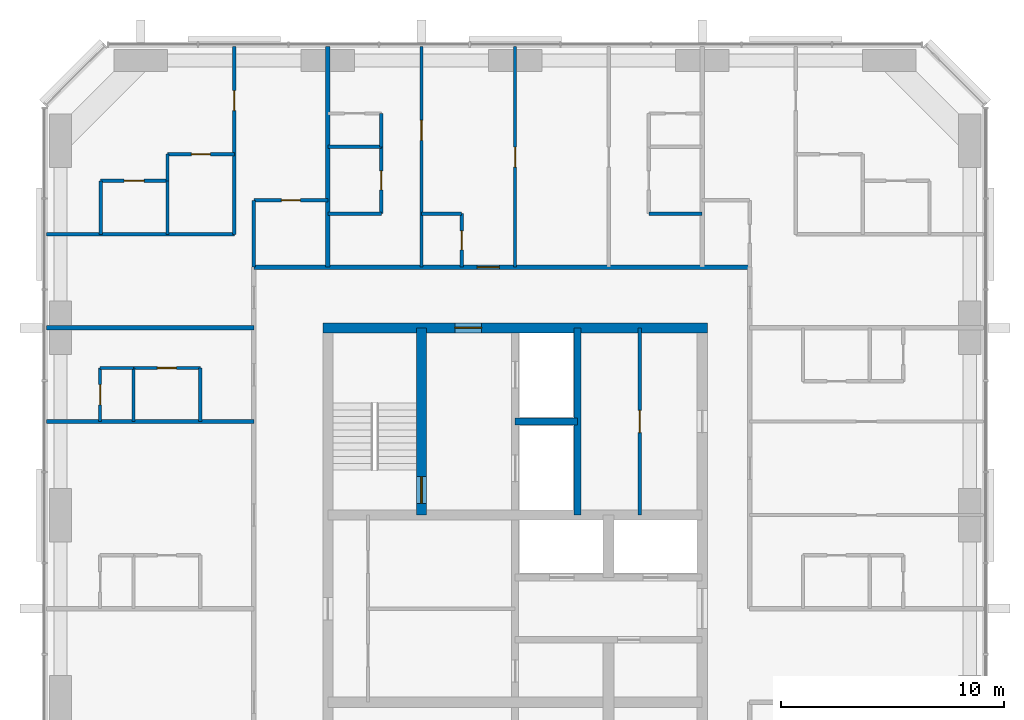
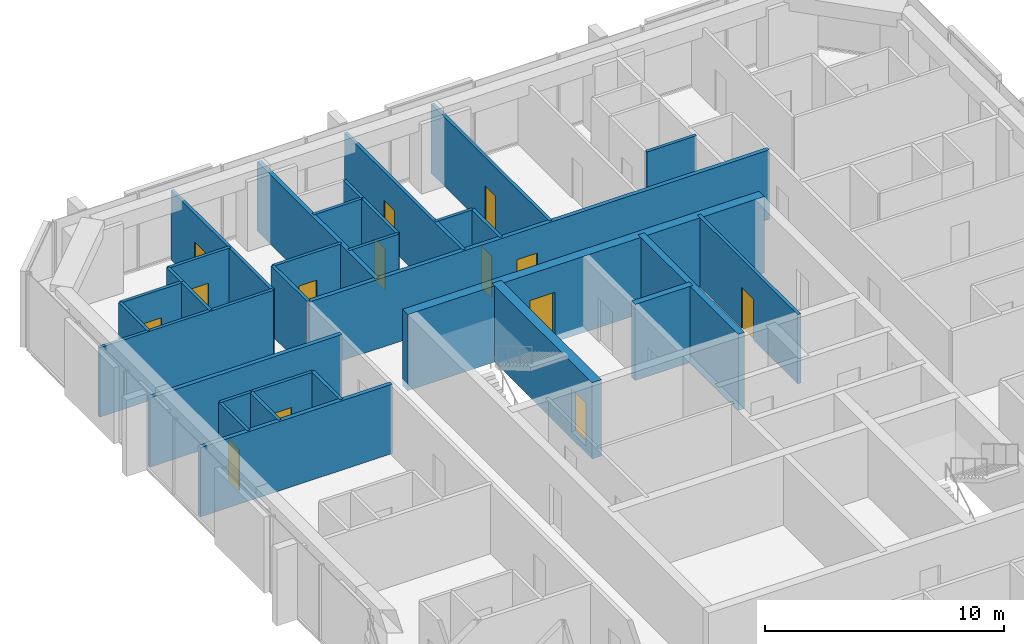
# One storey, part 10 of 13: 32 walls, 14 doors, 14 openings.
"""IFC4 building model written with IfcOpenShell, lengths in metres."""

from ifc_helpers import new_model, si_unit, direction, frame, frame_2d, origin, place, context, subcontext, project, spatial, rectangle, extrude, material, layer, layer_set, type_object, element, fill, save


model = new_model("IFC4")

# Units and contexts
model_context = context("Model", 3, precision=1e-05, world=origin(), true_north=direction((0.0, 1.0)))
body_context = subcontext(model_context, "Body", "Model", "MODEL_VIEW")
ifc_project = project(units=[si_unit("LENGTHUNIT", "METRE"), si_unit("AREAUNIT", "SQUARE_METRE"), si_unit("VOLUMEUNIT", "CUBIC_METRE"), si_unit("PLANEANGLEUNIT", "RADIAN"), si_unit("MASSUNIT", "GRAM", prefix="KILO")], contexts=[model_context])

# Site, building, storey
site_placement = place(None, origin())
site = spatial("IfcSite", under=ifc_project, at=site_placement, CompositionType="ELEMENT")
building_placement = place(site_placement, origin())
building = spatial("IfcBuilding", under=site, at=building_placement, Name="Dunama Terrace Hotel", CompositionType="ELEMENT")
storey_placement = place(building_placement, frame((0.0, 0.0, 280.199951171875)))
storey = spatial("IfcBuildingStorey", under=building, at=storey_placement, Name="L72", CompositionType="ELEMENT", Elevation=280.199951171875)

# Walls
ifc_material_1 = material(Name="Gypsum board partition", Category="masonry")
ifc_layer_1 = layer(ifc_material_1, 0.14990234375)
ifc_layer_set_1 = layer_set([ifc_layer_1], Name="Bathroom partition 150")
wall_type_1 = type_object("IfcWallType", Name="Bathroom partition 150", PredefinedType="PARTITIONING", material=ifc_layer_set_1)
wall_1_placement = place(storey_placement, frame((18.0, 48.60009765625, 0.0), z_axis=(0.0, 0.0, 1.0), x_axis=(0.0, 1.0, 0.0)))
element("IfcWall", 1, at=wall_1_placement, inside=storey, type_object=wall_type_1, Name="Bathroom partition 150 L72", PredefinedType="PARTITIONING", context=body_context, shape_type="SweptSolid", body=[
    extrude(rectangle(XDim=1.199951171875, YDim=0.14990234375, at=frame_2d((0.60009765625, 0.0))), origin(), (0.0, 0.0, 1.0), 3.550048828125),
])
wall_2_placement = place(storey_placement, frame((19.47509765625, 37.800048828125, 0.0), z_axis=(0.0, 0.0, 1.0), x_axis=(0.0, 1.0, 0.0)))
element("IfcWall", 2, at=wall_2_placement, inside=storey, type_object=wall_type_1, Name="Bathroom partition 150 L72", PredefinedType="PARTITIONING", context=body_context, shape_type="SweptSolid", body=[
    extrude(rectangle(XDim=2.39990234375, YDim=0.14990234375, at=frame_2d((1.199951171875, 0.0))), origin(), (0.0, 0.0, 1.0), 3.550048828125),
])
wall_3_placement = place(storey_placement, frame((21.875, 44.72509765625, 0.0), z_axis=(0.0, 0.0, 1.0), x_axis=(0.0, 1.0, 0.0)))
element("IfcWall", 3, at=wall_3_placement, inside=storey, type_object=wall_type_1, Name="Bathroom partition 150 L72", PredefinedType="PARTITIONING", context=body_context, shape_type="SweptSolid", body=[
    extrude(rectangle(XDim=3.0, YDim=0.14990234375, at=frame_2d((1.5, 0.0))), origin(), (0.0, 0.0, 1.0), 3.550048828125),
])

# Wall, opening, door
wall_4_placement = place(storey_placement, frame((27.60009765625, 47.125, 0.0), z_axis=(0.0, 0.0, 1.0), x_axis=(0.0, 1.0, 0.0)))
wall_4 = element("IfcWall", 4, at=wall_4_placement, inside=storey, type_object=wall_type_1, Name="Bathroom partition 150 L72", PredefinedType="PARTITIONING", context=body_context, shape_type="SweptSolid", body=[
    extrude(rectangle(XDim=3.0, YDim=0.14990234375, at=frame_2d((1.5, 0.0))), origin(), (0.0, 0.0, 1.0), 3.550048828125),
])
opening_1_placement = place(wall_4_placement, frame((1.074951171875, 0.0, 0.0)))
opening_1 = element("IfcOpeningElement", 5, at=opening_1_placement, cuts=wall_4, Name="Opening L71-72-029", PredefinedType="OPENING", context=body_context, shape_type="SweptSolid", body=[
    extrude(rectangle(XDim=0.85009765625, YDim=2.10009765625, at=frame_2d((0.425048828125, 1.050048828125))), frame((0.0, 0.0849609375, 0.0), z_axis=(0.0, -1.0, 0.0), x_axis=(1.0, 0.0, 0.0)), (0.0, 0.0, 1.0), 0.169921875),
])
ifc_material_2 = material(Name="Timber door with steel frame", Category="steel")
door_type_1 = type_object("IfcDoorType", Name="Bathroom door 850", OperationType="SINGLE_SWING_LEFT", PredefinedType="DOOR", material=ifc_material_2)
door_1_placement = place(opening_1_placement, origin())
door_1 = element("IfcDoor", 6, at=door_1_placement, inside=storey, type_object=door_type_1, Name="Door to en-suite bathroom L71-72-029, type D2", OperationType="SINGLE_SWING_RIGHT", OverallHeight=2.10009765625, OverallWidth=0.85009765625, PredefinedType="DOOR", context=body_context, shape_type="SweptSolid", body=[
    extrude(rectangle(XDim=0.85009765625, YDim=2.10009765625, at=frame_2d((0.425048828125, 1.050048828125))), frame((0.0, 0.02490234375, 0.0), z_axis=(0.0, -1.0, 0.0), x_axis=(1.0, 0.0, 0.0)), (0.0, 0.0, 1.0), 0.050048828125),
])
fill(opening_1, door_1)

wall_5_placement = place(storey_placement, frame((31.199951171875, 44.72509765625, 0.0), z_axis=(0.0, 0.0, 1.0), x_axis=(0.0, 1.0, 0.0)))
wall_5 = element("IfcWall", 7, at=wall_5_placement, inside=storey, type_object=wall_type_1, Name="Bathroom partition 150 L72", PredefinedType="PARTITIONING", context=body_context, shape_type="SweptSolid", body=[
    extrude(rectangle(XDim=2.39990234375, YDim=0.14990234375, at=frame_2d((1.199951171875, 0.0))), origin(), (0.0, 0.0, 1.0), 3.550048828125),
])
opening_2_placement = place(wall_5_placement, frame((0.77490234375, 0.0, 0.0)))
opening_2 = element("IfcOpeningElement", 8, at=opening_2_placement, cuts=wall_5, Name="Opening L71-72-027", PredefinedType="OPENING", context=body_context, shape_type="SweptSolid", body=[
    extrude(rectangle(XDim=0.85009765625, YDim=2.10009765625, at=frame_2d((0.425048828125, 1.050048828125))), frame((0.0, 0.0849609375, 0.0), z_axis=(0.0, -1.0, 0.0), x_axis=(1.0, 0.0, 0.0)), (0.0, 0.0, 1.0), 0.169921875),
])
door_2_placement = place(opening_2_placement, origin())
door_2 = element("IfcDoor", 9, at=door_2_placement, inside=storey, type_object=door_type_1, Name="Door to powder room L71-72-027, type D2", OperationType="SINGLE_SWING_LEFT", OverallHeight=2.10009765625, OverallWidth=0.85009765625, PredefinedType="DOOR", context=body_context, shape_type="SweptSolid", body=[
    extrude(rectangle(XDim=0.85009765625, YDim=2.10009765625, at=frame_2d((0.425048828125, 1.050048828125))), frame((0.0, 0.02490234375, 0.0), z_axis=(0.0, -1.0, 0.0), x_axis=(1.0, 0.0, 0.0)), (0.0, 0.0, 1.0), 0.050048828125),
])
fill(opening_2, door_2)

wall_6_placement = place(storey_placement, frame((16.47509765625, 40.199951171875, 0.0), z_axis=(0.0, 0.0, 1.0), x_axis=(1.0, 0.0, 0.0)))
wall_6 = element("IfcWall", 10, at=wall_6_placement, inside=storey, type_object=wall_type_1, Name="Bathroom partition 150 L72", PredefinedType="PARTITIONING", context=body_context, shape_type="SweptSolid", body=[
    extrude(rectangle(XDim=3.0, YDim=0.14990234375, at=frame_2d((1.5, 0.0))), origin(), (0.0, 0.0, 1.0), 3.550048828125),
])
opening_3_placement = place(wall_6_placement, frame((1.074951171875, 0.0, 0.0)))
opening_3 = element("IfcOpeningElement", 11, at=opening_3_placement, cuts=wall_6, Name="Opening L71-72-045", PredefinedType="OPENING", context=body_context, shape_type="SweptSolid", body=[
    extrude(rectangle(XDim=0.85009765625, YDim=2.10009765625, at=frame_2d((0.425048828125, 1.050048828125))), frame((0.0, 0.0849609375, 0.0), z_axis=(0.0, -1.0, 0.0), x_axis=(1.0, 0.0, 0.0)), (0.0, 0.0, 1.0), 0.169921875),
])
door_3_placement = place(opening_3_placement, frame((0.85009765625, 0.0, 0.0), z_axis=(0.0, 0.0, 1.0), x_axis=(-1.0, 0.0, 0.0)))
door_3 = element("IfcDoor", 12, at=door_3_placement, inside=storey, type_object=door_type_1, Name="Door to en-suite bathroom L71-72-045, type D2", OperationType="SINGLE_SWING_RIGHT", OverallHeight=2.10009765625, OverallWidth=0.85009765625, PredefinedType="DOOR", context=body_context, shape_type="SweptSolid", body=[
    extrude(rectangle(XDim=0.85009765625, YDim=2.10009765625, at=frame_2d((0.425048828125, 1.050048828125))), frame((0.0, 0.025146484375, 0.0), z_axis=(0.0, -1.0, 0.0), x_axis=(1.0, 0.0, 0.0)), (0.0, 0.0, 1.0), 0.050048828125),
])
fill(opening_3, door_3)

# Walls
wall_7_placement = place(storey_placement, frame((25.199951171875, 47.125, 0.0), z_axis=(0.0, 0.0, 1.0), x_axis=(1.0, 0.0, 0.0)))
element("IfcWall", 13, at=wall_7_placement, inside=storey, type_object=wall_type_1, Name="Bathroom partition 150 L72", PredefinedType="PARTITIONING", context=body_context, shape_type="SweptSolid", body=[
    extrude(rectangle(XDim=2.400146484375, YDim=0.14990234375, at=frame_2d((1.2001953125, 0.0))), origin(), (0.0, 0.0, 1.0), 3.550048828125),
])
wall_8_placement = place(storey_placement, frame((29.39990234375, 47.125, 0.0), z_axis=(0.0, 0.0, 1.0), x_axis=(1.0, 0.0, 0.0)))
element("IfcWall", 14, at=wall_8_placement, inside=storey, type_object=wall_type_1, Name="Bathroom partition 150 L72", PredefinedType="PARTITIONING", context=body_context, shape_type="SweptSolid", body=[
    extrude(rectangle(XDim=1.800048828125, YDim=0.14990234375, at=frame_2d((0.89990234375, 0.0))), origin(), (0.0, 0.0, 1.0), 3.550048828125),
])
wall_9_placement = place(storey_placement, frame((39.60009765625, 47.125, 0.0), z_axis=(0.0, 0.0, 1.0), x_axis=(1.0, 0.0, 0.0)))
element("IfcWall", 15, at=wall_9_placement, inside=storey, type_object=wall_type_1, Name="Bathroom partition 150 L72", PredefinedType="PARTITIONING", context=body_context, shape_type="SweptSolid", body=[
    extrude(rectangle(XDim=2.39990234375, YDim=0.14990234375, at=frame_2d((1.199951171875, 0.0))), origin(), (0.0, 0.0, 1.0), 3.550048828125),
])

# Wall, opening, door
wall_10_placement = place(storey_placement, frame((21.875, 47.72509765625, 0.0), z_axis=(0.0, 0.0, 1.0), x_axis=(1.0, 0.0, 0.0)))
wall_10 = element("IfcWall", 16, at=wall_10_placement, inside=storey, type_object=wall_type_1, Name="Bathroom partition 150 L72", PredefinedType="PARTITIONING", context=body_context, shape_type="SweptSolid", body=[
    extrude(rectangle(XDim=3.324951171875, YDim=0.14990234375, at=frame_2d((1.66259765625, 0.0))), origin(), (0.0, 0.0, 1.0), 3.550048828125),
])
opening_4_placement = place(wall_10_placement, frame((1.238037109375, 0.0, 0.0)))
opening_4 = element("IfcOpeningElement", 17, at=opening_4_placement, cuts=wall_10, Name="Opening L71-72-063", PredefinedType="OPENING", context=body_context, shape_type="SweptSolid", body=[
    extrude(rectangle(XDim=0.85009765625, YDim=2.10009765625, at=frame_2d((0.425048828125, 1.050048828125))), frame((0.0, 0.0849609375, 0.0), z_axis=(0.0, -1.0, 0.0), x_axis=(1.0, 0.0, 0.0)), (0.0, 0.0, 1.0), 0.169921875),
])
door_4_placement = place(opening_4_placement, frame((0.85009765625, 0.0, 0.0), z_axis=(0.0, 0.0, 1.0), x_axis=(-1.0, 0.0, 0.0)))
door_4 = element("IfcDoor", 18, at=door_4_placement, inside=storey, type_object=door_type_1, Name="Door to powder room L71-72-063, type D2", OperationType="SINGLE_SWING_LEFT", OverallHeight=2.10009765625, OverallWidth=0.85009765625, PredefinedType="DOOR", context=body_context, shape_type="SweptSolid", body=[
    extrude(rectangle(XDim=0.85009765625, YDim=2.10009765625, at=frame_2d((0.425048828125, 1.050048828125))), frame((0.0, 0.025146484375, 0.0), z_axis=(0.0, -1.0, 0.0), x_axis=(1.0, 0.0, 0.0)), (0.0, 0.0, 1.0), 0.050048828125),
])
fill(opening_4, door_4)

wall_11_placement = place(storey_placement, frame((18.0, 49.800048828125, 0.0), z_axis=(0.0, 0.0, 1.0), x_axis=(1.0, 0.0, 0.0)))
wall_11 = element("IfcWall", 19, at=wall_11_placement, inside=storey, type_object=wall_type_1, Name="Bathroom partition 150 L72", PredefinedType="PARTITIONING", context=body_context, shape_type="SweptSolid", body=[
    extrude(rectangle(XDim=3.0, YDim=0.14990234375, at=frame_2d((1.5, 0.0))), origin(), (0.0, 0.0, 1.0), 3.550048828125),
])
opening_5_placement = place(wall_11_placement, frame((1.074951171875, 0.0, 0.0)))
opening_5 = element("IfcOpeningElement", 20, at=opening_5_placement, cuts=wall_11, Name="Opening L71-72-065", PredefinedType="OPENING", context=body_context, shape_type="SweptSolid", body=[
    extrude(rectangle(XDim=0.85009765625, YDim=2.10009765625, at=frame_2d((0.425048828125, 1.050048828125))), frame((0.0, 0.0849609375, 0.0), z_axis=(0.0, -1.0, 0.0), x_axis=(1.0, 0.0, 0.0)), (0.0, 0.0, 1.0), 0.169921875),
])
door_5_placement = place(opening_5_placement, frame((0.85009765625, 0.0, 0.0), z_axis=(0.0, 0.0, 1.0), x_axis=(-1.0, 0.0, 0.0)))
door_5 = element("IfcDoor", 21, at=door_5_placement, inside=storey, type_object=door_type_1, Name="Door to en-suite bathroom L71-72-065, type D2", OperationType="SINGLE_SWING_RIGHT", OverallHeight=2.10009765625, OverallWidth=0.85009765625, PredefinedType="DOOR", context=body_context, shape_type="SweptSolid", body=[
    extrude(rectangle(XDim=0.85009765625, YDim=2.10009765625, at=frame_2d((0.425048828125, 1.050048828125))), frame((0.0, 0.025146484375, 0.0), z_axis=(0.0, -1.0, 0.0), x_axis=(1.0, 0.0, 0.0)), (0.0, 0.0, 1.0), 0.050048828125),
])
fill(opening_5, door_5)

# Walls
ifc_material_3 = material(Name="Concrete C50/60", Category="concrete")
ifc_layer_2 = layer(ifc_material_3, 0.300048828125)
ifc_layer_set_2 = layer_set([ifc_layer_2], Name="Core inner wall 300")
wall_type_2 = type_object("IfcWallType", Name="Core inner wall 300", PredefinedType="SHEAR", material=ifc_layer_set_2)
wall_12_placement = place(storey_placement, frame((36.39990234375, 33.60009765625, -0.349853515625), z_axis=(0.0, 0.0, 1.0), x_axis=(0.0, 1.0, 0.0)))
element("IfcWall", 22, at=wall_12_placement, inside=storey, type_object=wall_type_2, Name="Core inner wall 300 L72", PredefinedType="SHEAR", context=body_context, shape_type="SweptSolid", body=[
    extrude(rectangle(XDim=8.39990234375, YDim=0.300048828125, at=frame_2d((4.199951171875, 0.0))), origin(), (0.0, 0.0, 1.0), 3.89990234375),
])
wall_13_placement = place(storey_placement, frame((33.60009765625, 37.800048828125, -0.349853515625), z_axis=(0.0, 0.0, 1.0), x_axis=(1.0, 0.0, 0.0)))
element("IfcWall", 23, at=wall_13_placement, inside=storey, type_object=wall_type_2, Name="Core inner wall 300 L72", PredefinedType="SHEAR", context=body_context, shape_type="SweptSolid", body=[
    extrude(rectangle(XDim=2.7998046875, YDim=0.300048828125, at=frame_2d((1.39990234375, 0.0))), origin(), (0.0, 0.0, 1.0), 3.89990234375),
])

# Wall, opening, door
ifc_material_4 = material(Name="Concrete C50/60", Category="concrete")
ifc_layer_3 = layer(ifc_material_4, 0.449951171875)
ifc_layer_set_3 = layer_set([ifc_layer_3], Name="Core inner wall 450")
wall_type_3 = type_object("IfcWallType", Name="Core inner wall 450", PredefinedType="SHEAR", material=ifc_layer_set_3)
wall_14_placement = place(storey_placement, frame((29.39990234375, 33.60009765625, -0.349853515625), z_axis=(0.0, 0.0, 1.0), x_axis=(0.0, 1.0, 0.0)))
wall_14 = element("IfcWall", 24, at=wall_14_placement, inside=storey, type_object=wall_type_3, Name="Core inner wall 450 L72", PredefinedType="SHEAR", context=body_context, shape_type="SweptSolid", body=[
    extrude(rectangle(XDim=8.39990234375, YDim=0.449951171875, at=frame_2d((4.199951171875, 0.0))), origin(), (0.0, 0.0, 1.0), 3.89990234375),
])
opening_6_placement = place(wall_14_placement, frame((0.52490234375, 0.0, 0.35009765625)))
opening_6 = element("IfcOpeningElement", 25, at=opening_6_placement, cuts=wall_14, Name="Opening L71-72-001", PredefinedType="OPENING", context=body_context, shape_type="SweptSolid", body=[
    extrude(rectangle(XDim=1.199951171875, YDim=2.199951171875, at=frame_2d((0.60009765625, 1.10009765625))), frame((0.0, 0.23486328125, 0.0), z_axis=(0.0, -1.0, 0.0), x_axis=(1.0, 0.0, 0.0)), (0.0, 0.0, 1.0), 0.469970703125),
])
ifc_material_5 = material(Name="Timber door with steel frame", Category="steel")
door_type_2 = type_object("IfcDoorType", Name="Stair door 1200", OperationType="SINGLE_SWING_LEFT", PredefinedType="DOOR", material=ifc_material_5)
door_6_placement = place(opening_6_placement, origin())
door_6 = element("IfcDoor", 26, at=door_6_placement, inside=storey, type_object=door_type_2, Name="Stair door ST1 L71-72-001, type D5", OperationType="SINGLE_SWING_LEFT", OverallHeight=2.199951171875, OverallWidth=1.199951171875, PredefinedType="DOOR", context=body_context, shape_type="SweptSolid", body=[
    extrude(rectangle(XDim=1.199951171875, YDim=2.199951171875, at=frame_2d((0.60009765625, 1.10009765625))), frame((0.0, 0.02490234375, 0.0), z_axis=(0.0, -1.0, 0.0), x_axis=(1.0, 0.0, 0.0)), (0.0, 0.0, 1.0), 0.050048828125),
])
fill(opening_6, door_6)

ifc_material_6 = material(Name="Concrete C50/60", Category="concrete")
ifc_layer_4 = layer(ifc_material_6, 0.449951171875)
ifc_layer_set_4 = layer_set([ifc_layer_4], Name="Core wall 450")
wall_type_4 = type_object("IfcWallType", Name="Core wall 450", PredefinedType="SHEAR", material=ifc_layer_set_4)
wall_15_placement = place(storey_placement, frame((42.22509765625, 42.0, -0.349853515625), z_axis=(0.0, 0.0, 1.0), x_axis=(-1.0, 0.0, 0.0)))
wall_15 = element("IfcWall", 27, at=wall_15_placement, inside=storey, type_object=wall_type_4, Name="Core wall north L72", PredefinedType="SHEAR", context=body_context, shape_type="SweptSolid", body=[
    extrude(rectangle(XDim=17.25, YDim=0.449951171875, at=frame_2d((8.625, 0.0))), origin(), (0.0, 0.0, 1.0), 3.89990234375),
])
opening_7_placement = place(wall_15_placement, frame((10.125, 0.0, 0.35009765625)))
opening_7 = element("IfcOpeningElement", 28, at=opening_7_placement, cuts=wall_15, Name="Opening L71-72-073", PredefinedType="OPENING", context=body_context, shape_type="SweptSolid", body=[
    extrude(rectangle(XDim=1.199951171875, YDim=2.199951171875, at=frame_2d((0.60009765625, 1.10009765625))), frame((0.0, 0.23486328125, 0.0), z_axis=(0.0, -1.0, 0.0), x_axis=(1.0, 0.0, 0.0)), (0.0, 0.0, 1.0), 0.469970703125),
])
ifc_material_7 = material(Name="Timber door with steel frame", Category="steel")
door_type_3 = type_object("IfcDoorType", Name="Firefighting lobby door 1200", OperationType="SINGLE_SWING_LEFT", PredefinedType="DOOR", material=ifc_material_7)
door_7_placement = place(opening_7_placement, origin())
door_7 = element("IfcDoor", 29, at=door_7_placement, inside=storey, type_object=door_type_3, Name="Door to firefighting lobby L71-72-073, type D4", OperationType="SINGLE_SWING_RIGHT", OverallHeight=2.199951171875, OverallWidth=1.199951171875, PredefinedType="DOOR", context=body_context, shape_type="SweptSolid", body=[
    extrude(rectangle(XDim=1.199951171875, YDim=2.199951171875, at=frame_2d((0.60009765625, 1.10009765625))), frame((0.0, 0.02490234375, 0.0), z_axis=(0.0, -1.0, 0.0), x_axis=(1.0, 0.0, 0.0)), (0.0, 0.0, 1.0), 0.050048828125),
])
fill(opening_7, door_7)

ifc_material_8 = material(Name="Concrete blockwork", Category="masonry")
ifc_layer_5 = layer(ifc_material_8, 0.199951171875)
ifc_layer_set_5 = layer_set([ifc_layer_5], Name="Corridor partition 200")
wall_type_5 = type_object("IfcWallType", Name="Corridor partition 200", PredefinedType="PARTITIONING", material=ifc_layer_set_5)
wall_16_placement = place(storey_placement, frame((21.875, 44.72509765625, 0.0), z_axis=(0.0, 0.0, 1.0), x_axis=(1.0, 0.0, 0.0)))
wall_16 = element("IfcWall", 30, at=wall_16_placement, inside=storey, type_object=wall_type_5, Name="Corridor partition 200 L72", PredefinedType="PARTITIONING", context=body_context, shape_type="SweptSolid", body=[
    extrude(rectangle(XDim=22.25, YDim=0.199951171875, at=frame_2d((11.125, 0.0))), origin(), (0.0, 0.0, 1.0), 3.550048828125),
])
opening_8_placement = place(wall_16_placement, frame((10.02490234375, 0.0, 0.0)))
opening_8 = element("IfcOpeningElement", 31, at=opening_8_placement, cuts=wall_16, Name="Opening L71-72-026", PredefinedType="OPENING", context=body_context, shape_type="SweptSolid", body=[
    extrude(rectangle(XDim=1.0, YDim=2.199951171875, at=frame_2d((0.5, 1.10009765625))), frame((0.0, 0.10986328125, 0.0), z_axis=(0.0, -1.0, 0.0), x_axis=(1.0, 0.0, 0.0)), (0.0, 0.0, 1.0), 0.219970703125),
])
ifc_material_9 = material(Name="Timber door with steel frame", Category="steel")
door_type_4 = type_object("IfcDoorType", Name="Guest room door 1000", OperationType="SINGLE_SWING_LEFT", PredefinedType="DOOR", material=ifc_material_9)
door_8_placement = place(opening_8_placement, origin())
door_8 = element("IfcDoor", 32, at=door_8_placement, inside=storey, type_object=door_type_4, Name="Door to grand suite living room L71-72-026, type D1", OperationType="SINGLE_SWING_LEFT", OverallHeight=2.199951171875, OverallWidth=1.0, PredefinedType="DOOR", context=body_context, shape_type="SweptSolid", body=[
    extrude(rectangle(XDim=1.0, YDim=2.199951171875, at=frame_2d((0.5, 1.10009765625))), frame((0.0, 0.02490234375, 0.0), z_axis=(0.0, -1.0, 0.0), x_axis=(1.0, 0.0, 0.0)), (0.0, 0.0, 1.0), 0.050048828125),
])
fill(opening_8, door_8)

# Walls
ifc_material_10 = material(Name="Concrete blockwork", Category="masonry")
ifc_layer_6 = layer(ifc_material_10, 0.199951171875)
ifc_layer_set_6 = layer_set([ifc_layer_6], Name="Party wall 200")
wall_type_6 = type_object("IfcWallType", Name="Party wall 200", PredefinedType="PARTITIONING", material=ifc_layer_set_6)
wall_17_placement = place(storey_placement, frame((25.199951171875, 44.72509765625, 0.0), z_axis=(0.0, 0.0, 1.0), x_axis=(0.0, 1.0, 0.0)))
element("IfcWall", 33, at=wall_17_placement, inside=storey, type_object=wall_type_6, Name="Party wall 200 L72", PredefinedType="PARTITIONING", context=body_context, shape_type="SweptSolid", body=[
    extrude(rectangle(XDim=9.892822265625, YDim=0.199951171875, at=frame_2d((4.9462890625, 0.0))), origin(), (0.0, 0.0, 1.0), 3.550048828125),
])
for number, where, z_axis, x_axis, name in (
    (34, (12.58203125, 37.800048828125, 0.0), (0.0, 0.0, 1.0), (1.0, 0.0, 0.0), "Party wall 200 L72"),
    (35, (12.58203125, 42.0, 0.0), (0.0, 0.0, 1.0), (1.0, 0.0, 0.0), "Party wall 200 L72"),
):
    element("IfcWall", number, at=place(storey_placement, frame(where, z_axis=z_axis, x_axis=x_axis)), inside=storey, type_object=wall_type_6, Name=name, PredefinedType="PARTITIONING", context=body_context, shape_type="SweptSolid", body=[
        extrude(rectangle(XDim=9.29296875, YDim=0.199951171875, at=frame_2d((4.646484375, 0.0))), origin(), (0.0, 0.0, 1.0), 3.550048828125),
    ])

# Wall, opening, door
ifc_material_11 = material(Name="Gypsum board partition", Category="masonry")
ifc_layer_7 = layer(ifc_material_11, 0.14990234375)
ifc_layer_set_7 = layer_set([ifc_layer_7], Name="Room partition 150")
wall_type_7 = type_object("IfcWallType", Name="Room partition 150", PredefinedType="PARTITIONING", material=ifc_layer_set_7)
wall_18_placement = place(storey_placement, frame((14.97509765625, 37.800048828125, 0.0), z_axis=(0.0, 0.0, 1.0), x_axis=(0.0, 1.0, 0.0)))
wall_18 = element("IfcWall", 36, at=wall_18_placement, inside=storey, type_object=wall_type_7, Name="Room partition 150 L72", PredefinedType="PARTITIONING", context=body_context, shape_type="SweptSolid", body=[
    extrude(rectangle(XDim=2.39990234375, YDim=0.14990234375, at=frame_2d((1.199951171875, 0.0))), origin(), (0.0, 0.0, 1.0), 3.550048828125),
])
opening_9_placement = place(wall_18_placement, frame((0.75, 0.0, 0.0)))
opening_9 = element("IfcOpeningElement", 37, at=opening_9_placement, cuts=wall_18, Name="Opening L71-72-046", PredefinedType="OPENING", context=body_context, shape_type="SweptSolid", body=[
    extrude(rectangle(XDim=0.89990234375, YDim=2.10009765625, at=frame_2d((0.449951171875, 1.050048828125))), frame((0.0, 0.0849609375, 0.0), z_axis=(0.0, -1.0, 0.0), x_axis=(1.0, 0.0, 0.0)), (0.0, 0.0, 1.0), 0.169921875),
])
ifc_material_12 = material(Name="Timber door with steel frame", Category="steel")
door_type_5 = type_object("IfcDoorType", Name="Suite internal door 900", OperationType="SINGLE_SWING_LEFT", PredefinedType="DOOR", material=ifc_material_12)
door_9_placement = place(opening_9_placement, frame((0.89990234375, 0.0, 0.0), z_axis=(0.0, 0.0, 1.0), x_axis=(-1.0, 0.0, 0.0)))
door_9 = element("IfcDoor", 38, at=door_9_placement, inside=storey, type_object=door_type_5, Name="Door to walk-in wardrobe L71-72-046, type D16", OperationType="SINGLE_SWING_RIGHT", OverallHeight=2.10009765625, OverallWidth=0.89990234375, PredefinedType="DOOR", context=body_context, shape_type="SweptSolid", body=[
    extrude(rectangle(XDim=0.89990234375, YDim=2.10009765625, at=frame_2d((0.449951171875, 1.050048828125))), frame((0.0, 0.025146484375, 0.0), z_axis=(0.0, -1.0, 0.0), x_axis=(1.0, 0.0, 0.0)), (0.0, 0.0, 1.0), 0.050048828125),
])
fill(opening_9, door_9)

# Walls
wall_19_placement = place(storey_placement, frame((15.0, 46.199951171875, 0.0), z_axis=(0.0, 0.0, 1.0), x_axis=(0.0, 1.0, 0.0)))
element("IfcWall", 39, at=wall_19_placement, inside=storey, type_object=wall_type_7, Name="Room partition 150 L72", PredefinedType="PARTITIONING", context=body_context, shape_type="SweptSolid", body=[
    extrude(rectangle(XDim=2.400146484375, YDim=0.14990234375, at=frame_2d((1.2001953125, 0.0))), origin(), (0.0, 0.0, 1.0), 3.550048828125),
])
wall_20_placement = place(storey_placement, frame((16.47509765625, 37.800048828125, 0.0), z_axis=(0.0, 0.0, 1.0), x_axis=(0.0, 1.0, 0.0)))
element("IfcWall", 40, at=wall_20_placement, inside=storey, type_object=wall_type_7, Name="Room partition 150 L72", PredefinedType="PARTITIONING", context=body_context, shape_type="SweptSolid", body=[
    extrude(rectangle(XDim=2.39990234375, YDim=0.14990234375, at=frame_2d((1.199951171875, 0.0))), origin(), (0.0, 0.0, 1.0), 3.550048828125),
])
wall_21_placement = place(storey_placement, frame((18.0, 46.199951171875, 0.0), z_axis=(0.0, 0.0, 1.0), x_axis=(0.0, 1.0, 0.0)))
element("IfcWall", 41, at=wall_21_placement, inside=storey, type_object=wall_type_7, Name="Room partition 150 L72", PredefinedType="PARTITIONING", context=body_context, shape_type="SweptSolid", body=[
    extrude(rectangle(XDim=2.400146484375, YDim=0.14990234375, at=frame_2d((1.2001953125, 0.0))), origin(), (0.0, 0.0, 1.0), 3.550048828125),
])

# Wall, opening, door
wall_22_placement = place(storey_placement, frame((21.0, 46.199951171875, 0.0), z_axis=(0.0, 0.0, 1.0), x_axis=(0.0, 1.0, 0.0)))
wall_22 = element("IfcWall", 42, at=wall_22_placement, inside=storey, type_object=wall_type_7, Name="Room partition 150 L72", PredefinedType="PARTITIONING", context=body_context, shape_type="SweptSolid", body=[
    extrude(rectangle(XDim=8.41796875, YDim=0.14990234375, at=frame_2d((4.208984375, 0.0))), origin(), (0.0, 0.0, 1.0), 3.550048828125),
])
opening_10_placement = place(wall_22_placement, frame((5.550048828125, 0.0, 0.0)))
opening_10 = element("IfcOpeningElement", 43, at=opening_10_placement, cuts=wall_22, Name="Opening L71-72-064", PredefinedType="OPENING", context=body_context, shape_type="SweptSolid", body=[
    extrude(rectangle(XDim=0.89990234375, YDim=2.10009765625, at=frame_2d((0.449951171875, 1.050048828125))), frame((0.0, 0.0849609375, 0.0), z_axis=(0.0, -1.0, 0.0), x_axis=(1.0, 0.0, 0.0)), (0.0, 0.0, 1.0), 0.169921875),
])
door_10_placement = place(opening_10_placement, origin())
door_10 = element("IfcDoor", 44, at=door_10_placement, inside=storey, type_object=door_type_5, Name="Door to grand corner suite bedroom L71-72-064, type D16", OperationType="SINGLE_SWING_LEFT", OverallHeight=2.10009765625, OverallWidth=0.89990234375, PredefinedType="DOOR", context=body_context, shape_type="SweptSolid", body=[
    extrude(rectangle(XDim=0.89990234375, YDim=2.10009765625, at=frame_2d((0.449951171875, 1.050048828125))), frame((0.0, 0.02490234375, 0.0), z_axis=(0.0, -1.0, 0.0), x_axis=(1.0, 0.0, 0.0)), (0.0, 0.0, 1.0), 0.050048828125),
])
fill(opening_10, door_10)

# Wall
wall_23_placement = place(storey_placement, frame((27.60009765625, 50.125, 0.0), z_axis=(0.0, 0.0, 1.0), x_axis=(0.0, 1.0, 0.0)))
element("IfcWall", 45, at=wall_23_placement, inside=storey, type_object=wall_type_7, Name="Room partition 150 L72", PredefinedType="PARTITIONING", context=body_context, shape_type="SweptSolid", body=[
    extrude(rectangle(XDim=1.5, YDim=0.14990234375, at=frame_2d((0.75, 0.0))), origin(), (0.0, 0.0, 1.0), 3.550048828125),
])

# Wall, opening, door
wall_24_placement = place(storey_placement, frame((29.39990234375, 44.72509765625, 0.0), z_axis=(0.0, 0.0, 1.0), x_axis=(0.0, 1.0, 0.0)))
wall_24 = element("IfcWall", 46, at=wall_24_placement, inside=storey, type_object=wall_type_7, Name="Room partition 150 L72", PredefinedType="PARTITIONING", context=body_context, shape_type="SweptSolid", body=[
    extrude(rectangle(XDim=9.892822265625, YDim=0.14990234375, at=frame_2d((4.9462890625, 0.0))), origin(), (0.0, 0.0, 1.0), 3.550048828125),
])
opening_11_placement = place(wall_24_placement, frame((5.68701171875, 0.0, 0.0)))
opening_11 = element("IfcOpeningElement", 47, at=opening_11_placement, cuts=wall_24, Name="Opening L71-72-028", PredefinedType="OPENING", context=body_context, shape_type="SweptSolid", body=[
    extrude(rectangle(XDim=0.89990234375, YDim=2.10009765625, at=frame_2d((0.449951171875, 1.050048828125))), frame((0.0, 0.0849609375, 0.0), z_axis=(0.0, -1.0, 0.0), x_axis=(1.0, 0.0, 0.0)), (0.0, 0.0, 1.0), 0.169921875),
])
door_11_placement = place(opening_11_placement, origin())
door_11 = element("IfcDoor", 48, at=door_11_placement, inside=storey, type_object=door_type_5, Name="Door to grand suite bedroom L71-72-028, type D16", OperationType="SINGLE_SWING_LEFT", OverallHeight=2.10009765625, OverallWidth=0.89990234375, PredefinedType="DOOR", context=body_context, shape_type="SweptSolid", body=[
    extrude(rectangle(XDim=0.89990234375, YDim=2.10009765625, at=frame_2d((0.449951171875, 1.050048828125))), frame((0.0, 0.02490234375, 0.0), z_axis=(0.0, -1.0, 0.0), x_axis=(1.0, 0.0, 0.0)), (0.0, 0.0, 1.0), 0.050048828125),
])
fill(opening_11, door_11)

wall_25_placement = place(storey_placement, frame((33.60009765625, 44.72509765625, 0.0), z_axis=(0.0, 0.0, 1.0), x_axis=(0.0, 1.0, 0.0)))
wall_25 = element("IfcWall", 49, at=wall_25_placement, inside=storey, type_object=wall_type_7, Name="Room partition 150 L72", PredefinedType="PARTITIONING", context=body_context, shape_type="SweptSolid", body=[
    extrude(rectangle(XDim=9.892822265625, YDim=0.14990234375, at=frame_2d((4.9462890625, 0.0))), origin(), (0.0, 0.0, 1.0), 3.550048828125),
])
opening_12_placement = place(wall_25_placement, frame((4.487060546875, 0.0, 0.0)))
opening_12 = element("IfcOpeningElement", 50, at=opening_12_placement, cuts=wall_25, Name="Opening L71-72-031", PredefinedType="OPENING", context=body_context, shape_type="SweptSolid", body=[
    extrude(rectangle(XDim=0.89990234375, YDim=2.10009765625, at=frame_2d((0.449951171875, 1.050048828125))), frame((0.0, 0.0849609375, 0.0), z_axis=(0.0, -1.0, 0.0), x_axis=(1.0, 0.0, 0.0)), (0.0, 0.0, 1.0), 0.169921875),
])
door_12_placement = place(opening_12_placement, origin())
door_12 = element("IfcDoor", 51, at=door_12_placement, inside=storey, type_object=door_type_5, Name="Door to grand suite study L71-72-031, type D16", OperationType="SINGLE_SWING_LEFT", OverallHeight=2.10009765625, OverallWidth=0.89990234375, PredefinedType="DOOR", context=body_context, shape_type="SweptSolid", body=[
    extrude(rectangle(XDim=0.89990234375, YDim=2.10009765625, at=frame_2d((0.449951171875, 1.050048828125))), frame((0.0, 0.02490234375, 0.0), z_axis=(0.0, -1.0, 0.0), x_axis=(1.0, 0.0, 0.0)), (0.0, 0.0, 1.0), 0.050048828125),
])
fill(opening_12, door_12)

wall_26_placement = place(storey_placement, frame((39.199951171875, 33.60009765625, 0.0), z_axis=(0.0, 0.0, 1.0), x_axis=(0.0, 1.0, 0.0)))
wall_26 = element("IfcWall", 52, at=wall_26_placement, inside=storey, type_object=wall_type_7, Name="Room partition 150 L72", PredefinedType="PARTITIONING", context=body_context, shape_type="SweptSolid", body=[
    extrude(rectangle(XDim=8.39990234375, YDim=0.14990234375, at=frame_2d((4.199951171875, 0.0))), origin(), (0.0, 0.0, 1.0), 3.550048828125),
])
opening_13_placement = place(wall_26_placement, frame((3.699951171875, 0.0, 0.0)))
opening_13 = element("IfcOpeningElement", 53, at=opening_13_placement, cuts=wall_26, Name="Opening L71-72-075", PredefinedType="OPENING", context=body_context, shape_type="SweptSolid", body=[
    extrude(rectangle(XDim=1.0, YDim=2.10009765625, at=frame_2d((0.5, 1.050048828125))), frame((0.0, 0.0849609375, 0.0), z_axis=(0.0, -1.0, 0.0), x_axis=(1.0, 0.0, 0.0)), (0.0, 0.0, 1.0), 0.169921875),
])
ifc_material_13 = material(Name="Timber door with steel frame", Category="steel")
door_type_6 = type_object("IfcDoorType", Name="Service door 1000", OperationType="SINGLE_SWING_LEFT", PredefinedType="DOOR", material=ifc_material_13)
door_13_placement = place(opening_13_placement, origin())
door_13 = element("IfcDoor", 54, at=door_13_placement, inside=storey, type_object=door_type_6, Name="Door to cleaners store L71-72-075, type D7", OperationType="SINGLE_SWING_LEFT", OverallHeight=2.10009765625, OverallWidth=1.0, PredefinedType="DOOR", context=body_context, shape_type="SweptSolid", body=[
    extrude(rectangle(XDim=1.0, YDim=2.10009765625, at=frame_2d((0.5, 1.050048828125))), frame((0.0, 0.02490234375, 0.0), z_axis=(0.0, -1.0, 0.0), x_axis=(1.0, 0.0, 0.0)), (0.0, 0.0, 1.0), 0.050048828125),
])
fill(opening_13, door_13)

# Walls
wall_27_placement = place(storey_placement, frame((14.97509765625, 40.199951171875, 0.0), z_axis=(0.0, 0.0, 1.0), x_axis=(1.0, 0.0, 0.0)))
element("IfcWall", 55, at=wall_27_placement, inside=storey, type_object=wall_type_7, Name="Room partition 150 L72", PredefinedType="PARTITIONING", context=body_context, shape_type="SweptSolid", body=[
    extrude(rectangle(XDim=1.5, YDim=0.14990234375, at=frame_2d((0.75, 0.0))), origin(), (0.0, 0.0, 1.0), 3.550048828125),
])
wall_28_placement = place(storey_placement, frame((12.58203125, 46.199951171875, 0.0), z_axis=(0.0, 0.0, 1.0), x_axis=(1.0, 0.0, 0.0)))
element("IfcWall", 56, at=wall_28_placement, inside=storey, type_object=wall_type_7, Name="Room partition 150 L72", PredefinedType="PARTITIONING", context=body_context, shape_type="SweptSolid", body=[
    extrude(rectangle(XDim=8.41796875, YDim=0.14990234375, at=frame_2d((4.208984375, 0.0))), origin(), (0.0, 0.0, 1.0), 3.550048828125),
])

# Wall, opening, door
wall_29_placement = place(storey_placement, frame((15.0, 48.60009765625, 0.0), z_axis=(0.0, 0.0, 1.0), x_axis=(1.0, 0.0, 0.0)))
wall_29 = element("IfcWall", 57, at=wall_29_placement, inside=storey, type_object=wall_type_7, Name="Room partition 150 L72", PredefinedType="PARTITIONING", context=body_context, shape_type="SweptSolid", body=[
    extrude(rectangle(XDim=3.0, YDim=0.14990234375, at=frame_2d((1.5, 0.0))), origin(), (0.0, 0.0, 1.0), 3.550048828125),
])
opening_14_placement = place(wall_29_placement, frame((1.050048828125, 0.0, 0.0)))
opening_14 = element("IfcOpeningElement", 58, at=opening_14_placement, cuts=wall_29, Name="Opening L71-72-066", PredefinedType="OPENING", context=body_context, shape_type="SweptSolid", body=[
    extrude(rectangle(XDim=0.89990234375, YDim=2.10009765625, at=frame_2d((0.449951171875, 1.050048828125))), frame((0.0, 0.0849609375, 0.0), z_axis=(0.0, -1.0, 0.0), x_axis=(1.0, 0.0, 0.0)), (0.0, 0.0, 1.0), 0.169921875),
])
door_14_placement = place(opening_14_placement, frame((0.89990234375, 0.0, 0.0), z_axis=(0.0, 0.0, 1.0), x_axis=(-1.0, 0.0, 0.0)))
door_14 = element("IfcDoor", 59, at=door_14_placement, inside=storey, type_object=door_type_5, Name="Door to dressing room L71-72-066, type D16", OperationType="SINGLE_SWING_RIGHT", OverallHeight=2.10009765625, OverallWidth=0.89990234375, PredefinedType="DOOR", context=body_context, shape_type="SweptSolid", body=[
    extrude(rectangle(XDim=0.89990234375, YDim=2.10009765625, at=frame_2d((0.449951171875, 1.050048828125))), frame((0.0, 0.025146484375, 0.0), z_axis=(0.0, -1.0, 0.0), x_axis=(1.0, 0.0, 0.0)), (0.0, 0.0, 1.0), 0.050048828125),
])
fill(opening_14, door_14)

# Wall
wall_30_placement = place(storey_placement, frame((25.199951171875, 50.125, 0.0), z_axis=(0.0, 0.0, 1.0), x_axis=(1.0, 0.0, 0.0)))
element("IfcWall", 60, at=wall_30_placement, inside=storey, type_object=wall_type_7, Name="Room partition 150 L72", PredefinedType="PARTITIONING", context=body_context, shape_type="SweptSolid", body=[
    extrude(rectangle(XDim=2.400146484375, YDim=0.14990234375, at=frame_2d((1.2001953125, 0.0))), origin(), (0.0, 0.0, 1.0), 3.550048828125),
])

save(model, "model.ifc")
